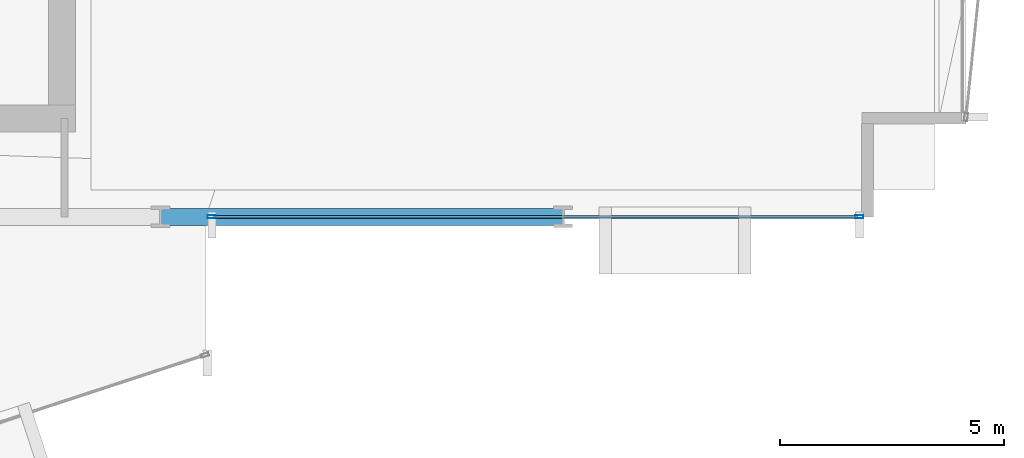
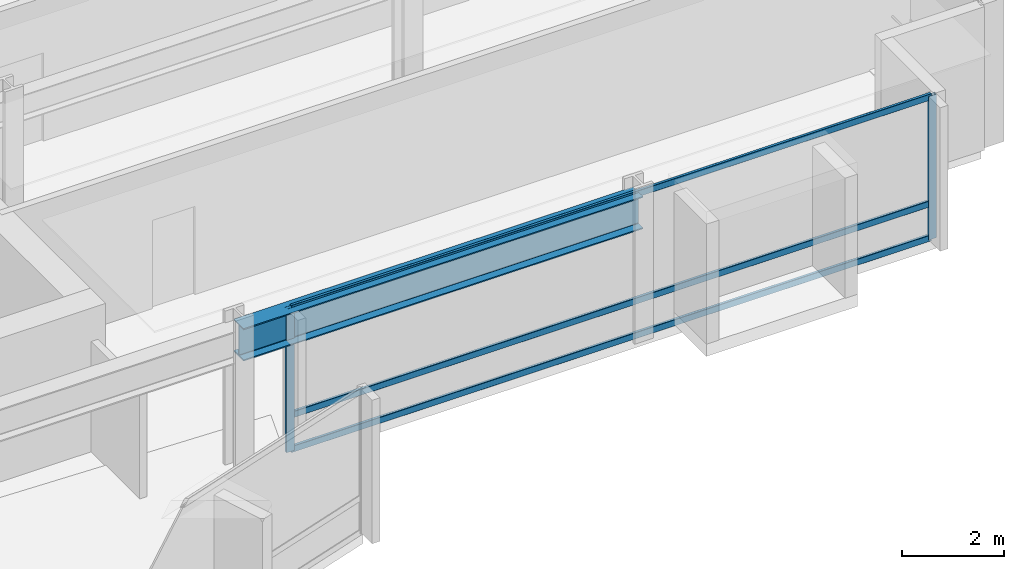
# One storey, part 12 of 34: 5 members, 1 beam, 1 element without a shape of its own.
"""IFC4 building model written with IfcOpenShell, lengths in metres."""

import ifcopenshell
import ifcopenshell.guid

model = None  # the IFC model being written
_history = None  # IfcOwnerHistory: only IFC2X3 demands one
_inside = {}  # id of a spatial element -> (the spatial element, [elements in it])
_under = {}  # id of a project, library or spatial element -> (it, [spatial elements below it])
_declared = {}  # id of a project -> (the project, [libraries it declares])
_typed = {}  # id of a type object -> (the type object, [elements of that type])
_made_of = {}  # id of a material, layer set ... -> (it, [elements and type objects made of it])


def new_model(schema):
    """Start an empty IFC model of exactly this schema.

    Asked for "IFC4X3", IfcOpenShell would pick the latest addendum, in which some entities
    have other attributes; the version numbers below select the first issue.
    IFC2X3 requires an IfcOwnerHistory on every rooted entity: one is made here for all.
    """
    global model, _history
    if schema == "IFC4X3":
        model = ifcopenshell.file(schema_version=(4, 3, 0, 0))
    else:
        model = ifcopenshell.file(schema=schema)
    _inside.clear()
    _under.clear()
    _declared.clear()
    _typed.clear()
    _made_of.clear()
    _history = None
    if model.schema == "IFC2X3":
        org = make("IfcOrganization", Name="unknown")
        user = make(
            "IfcPersonAndOrganization",
            ThePerson=make("IfcPerson", FamilyName="unknown"),
            TheOrganization=org,
        )
        app = make(
            "IfcApplication",
            ApplicationDeveloper=org,
            Version="unknown",
            ApplicationFullName="unknown",
            ApplicationIdentifier="unknown",
        )
        _history = make(
            "IfcOwnerHistory",
            OwningUser=user,
            OwningApplication=app,
            ChangeAction="ADDED",
            CreationDate=0,
        )
    return model


def make(cls, **values):
    """One entity of the class cls with the attributes given. An attribute that is None is left unset."""
    return model.create_entity(
        cls, **{name: value for name, value in values.items() if value is not None}
    )


def rooted(cls, **values):
    """An entity with a GlobalId (a new one), such as an element, a storey or a relation."""
    return make(cls, GlobalId=ifcopenshell.guid.new(), OwnerHistory=_history, **values)


def si_unit(unit_type, name, prefix=None):
    """IfcSIUnit, for example si_unit("LENGTHUNIT", "METRE", prefix="MILLI")."""
    return make("IfcSIUnit", UnitType=unit_type, Prefix=prefix, Name=name)


def assignment(units):
    """IfcUnitAssignment: the units of a project."""
    return None if units is None else make("IfcUnitAssignment", Units=units)


def point(xyz):
    """IfcCartesianPoint."""
    return None if xyz is None else make("IfcCartesianPoint", Coordinates=xyz)


def direction(xyz):
    """IfcDirection."""
    return None if xyz is None else make("IfcDirection", DirectionRatios=xyz)


def frame(location, z_axis=None, x_axis=None):
    """IfcAxis2Placement3D, a coordinate frame: its origin and axes. An axis left out is left unset."""
    return make(
        "IfcAxis2Placement3D",
        Location=point(location),
        Axis=direction(z_axis),
        RefDirection=direction(x_axis),
    )


def frame_2d(location, x_axis=None):
    """IfcAxis2Placement2D, a coordinate frame in the plane: its origin and x axis."""
    return make(
        "IfcAxis2Placement2D", Location=point(location), RefDirection=direction(x_axis)
    )


def origin():
    """The frame at (0, 0, 0) with its axes left unset."""
    return frame((0.0, 0.0, 0.0))


def origin_2d():
    """The frame at (0, 0) in the plane with its x axis left unset."""
    return frame_2d((0.0, 0.0))


def place(relative_to, where):
    """IfcLocalPlacement: puts the frame where relative to a parent placement (None: the world)."""
    return make(
        "IfcLocalPlacement", PlacementRelTo=relative_to, RelativePlacement=where
    )


def context(
    kind, dimensions, precision=None, world=None, true_north=None, identifier=None
):
    """IfcGeometricRepresentationContext, for example the 3D "Model" context."""
    return make(
        "IfcGeometricRepresentationContext",
        ContextIdentifier=identifier,
        ContextType=kind,
        CoordinateSpaceDimension=dimensions,
        Precision=precision,
        WorldCoordinateSystem=world,
        TrueNorth=true_north,
    )


def subcontext(parent, identifier, kind, view, scale=None):
    """IfcGeometricRepresentationSubContext, for example "Body" below "Model"."""
    return make(
        "IfcGeometricRepresentationSubContext",
        ContextIdentifier=identifier,
        ContextType=kind,
        ParentContext=parent,
        TargetScale=scale,
        TargetView=view,
    )


def project(units=None, contexts=None):
    """IfcProject with its units and contexts."""
    return rooted(
        "IfcProject",
        Name="project",
        RepresentationContexts=contexts,
        UnitsInContext=assignment(units),
    )


def spatial(cls, under=None, at=None, **own):
    """A site, building, storey or space (cls), placed at a placement, below another one or the project."""
    s = rooted(cls, ObjectPlacement=at, **own)
    if under is not None:
        _under.setdefault(under.id(), (under, []))[1].append(s)
    return s


def profile(cls, at=None, kind="AREA", **sizes):
    """A parametric profile (cls). Its sizes go by their IFC names, for example OverallWidth=200.0."""
    return make(cls, ProfileType=kind, Position=at, **sizes)


def hollow_rectangle(**sizes):
    """IfcRectangleHollowProfileDef."""
    return profile("IfcRectangleHollowProfileDef", **sizes)


def i_section(**sizes):
    """IfcIShapeProfileDef."""
    return profile("IfcIShapeProfileDef", **sizes)


def extrude(swept, where, along, depth):
    """IfcExtrudedAreaSolid: the profile swept, set in the frame where, extruded along a direction by depth."""
    return make(
        "IfcExtrudedAreaSolid",
        SweptArea=swept,
        Position=where,
        ExtrudedDirection=direction(along),
        Depth=depth,
    )


def shape(context_of_items, identifier, shape_type, items):
    """IfcShapeRepresentation: the items that make up one representation, for example the "Body"."""
    return make(
        "IfcShapeRepresentation",
        ContextOfItems=context_of_items,
        RepresentationIdentifier=identifier,
        RepresentationType=shape_type,
        Items=items,
    )


def material(Name=None, Category=None):
    """IfcMaterial."""
    return make("IfcMaterial", Name=Name, Category=Category)


def layer(
    of_material, thickness, ventilated=None, Name=None, Category=None, Priority=None
):
    """IfcMaterialLayer: one layer of a wall or slab, of a material (None: an air gap)."""
    return make(
        "IfcMaterialLayer",
        Material=of_material,
        LayerThickness=thickness,
        IsVentilated=ventilated,
        Name=Name,
        Category=Category,
        Priority=Priority,
    )


def layer_set(layers, Name=None):
    """IfcMaterialLayerSet."""
    return make("IfcMaterialLayerSet", MaterialLayers=layers, LayerSetName=Name)


def material_profile(
    of_material, cross_section, Name=None, Category=None, Priority=None
):
    """IfcMaterialProfile: a cross section and its material."""
    return make(
        "IfcMaterialProfile",
        Name=Name,
        Material=of_material,
        Profile=cross_section,
        Priority=Priority,
        Category=Category,
    )


def profile_set(profiles, Name=None, composite=None):
    """IfcMaterialProfileSet."""
    return make(
        "IfcMaterialProfileSet",
        Name=Name,
        MaterialProfiles=profiles,
        CompositeProfile=composite,
    )


def made_of(thing, what):
    """Note that an element or type object is made of a material, layer set ...; save() writes the relation."""
    if what is not None:
        _made_of.setdefault(what.id(), (what, []))[1].append(thing)
    return thing


def type_object(cls, material=None, **own):
    """A type object (cls), such as IfcWallType, which elements share."""
    return made_of(rooted(cls, **own), material)


def element(
    cls,
    number,
    at=None,
    inside=None,
    cuts=None,
    type_object=None,
    material=None,
    context=None,
    identifier="Body",
    shape_type=None,
    held_by="IfcProductDefinitionShape",
    body=None,
    shapes=None,
    **own,
):
    """One element of the class cls, such as IfcWall. Its Tag is "e" and its number.

    at: its placement. inside: the storey or other place that contains it. cuts: it is an
    opening in that element (IfcRelVoidsElement). A single representation is given by context,
    identifier, shape_type and body (its items); several are given by shapes. held_by: the class
    of the entity that holds the representations. save() writes the other relations.
    """
    e = rooted(cls, Tag="e%d" % number, ObjectPlacement=at, **own)
    if body is not None:
        shapes = [shape(context, identifier, shape_type, body)]
    if shapes is not None:
        e.Representation = make(held_by, Representations=shapes)
    if inside is not None:
        _inside.setdefault(inside.id(), (inside, []))[1].append(e)
    if cuts is not None:
        rooted(
            "IfcRelVoidsElement", RelatingBuildingElement=cuts, RelatedOpeningElement=e
        )
    if type_object is not None:
        _typed.setdefault(type_object.id(), (type_object, []))[1].append(e)
    return made_of(e, material)


def aggregate(whole, parts):
    """IfcRelAggregates: a whole, such as a stair, and the parts it consists of."""
    return rooted("IfcRelAggregates", RelatingObject=whole, RelatedObjects=parts)


def save(model, path):
    """Write the relations noted so far, then the file.

    IfcRelAggregates (storeys below a building ...), IfcRelContainedInSpatialStructure (elements
    in a storey), IfcRelDefinesByType, IfcRelAssociatesMaterial and IfcRelDeclares: one each for
    every whole, place, type object, material and project.
    """
    for whole, parts in _under.values():
        aggregate(whole, parts)
    for where, things in _inside.values():
        rooted(
            "IfcRelContainedInSpatialStructure",
            RelatedElements=things,
            RelatingStructure=where,
        )
    for kind, things in _typed.values():
        rooted("IfcRelDefinesByType", RelatedObjects=things, RelatingType=kind)
    for what, things in _made_of.values():
        rooted("IfcRelAssociatesMaterial", RelatedObjects=things, RelatingMaterial=what)
    for by, libraries in _declared.values():
        rooted("IfcRelDeclares", RelatingContext=by, RelatedDefinitions=libraries)
    model.write(path)


model = new_model("IFC4")

# Units and contexts
model_context = context("Model", 3, precision=1e-05, world=origin(), true_north=direction((0.0, 1.0)))
body_context = subcontext(model_context, "Body", "Model", "MODEL_VIEW")
ifc_project = project(units=[si_unit("LENGTHUNIT", "METRE"), si_unit("AREAUNIT", "SQUARE_METRE"), si_unit("VOLUMEUNIT", "CUBIC_METRE"), si_unit("PLANEANGLEUNIT", "RADIAN"), si_unit("MASSUNIT", "GRAM", prefix="KILO")], contexts=[model_context])

# Site, building, storey
site_placement = place(None, origin())
site = spatial("IfcSite", under=ifc_project, at=site_placement, CompositionType="ELEMENT")
building_placement = place(site_placement, origin())
building = spatial("IfcBuilding", under=site, at=building_placement, Name="Solvaryn Broadcast Tower", CompositionType="ELEMENT")
storey_placement = place(building_placement, frame((0.0, 0.0, 76.699951171875)))
storey = spatial("IfcBuildingStorey", under=building, at=storey_placement, Name="L18", CompositionType="ELEMENT", Elevation=76.699951171875)

# Beam
ifc_material_1 = material(Name="Steel ASTM A992 Grade 50", Category="steel")
ifc_material_profile_1 = material_profile(ifc_material_1, i_section(OverallWidth=0.381103515625, OverallDepth=0.77294921875, WebThickness=0.0166015625, FlangeThickness=0.027099609375, FilletRadius=0.01806640625, at=origin_2d()))
ifc_profile_set_1 = profile_set([ifc_material_profile_1], Name="Steel ASTM A992 Grade 50")
beam_type = type_object("IfcBeamType", Name="BM-SP1-W30X173", PredefinedType="USERDEFINED", material=ifc_profile_set_1)
beam_placement = place(storey_placement, frame((45.0, 9.0, 3.033447265625), z_axis=(1.0, 0.0, 0.0), x_axis=(0.0, 1.0, 0.0)))
element("IfcBeam", 1, at=beam_placement, inside=storey, type_object=beam_type, Name="L18 Spandrel Beam X (45-54 @ Y=9)", ObjectType="SPANDREL", PredefinedType="USERDEFINED", context=body_context, shape_type="SweptSolid", body=[
    extrude(i_section(OverallWidth=0.381103515625, OverallDepth=0.77294921875, WebThickness=0.0166015625, FlangeThickness=0.027099609375, FilletRadius=0.01806640625, at=origin_2d()), origin(), (0.0, 0.0, 1.0), 9.0),
])

# Curtain wall, members
ifc_material_2 = material(Name="Aluminium and Terracotta Unitised Curtain Wall", Category="masonry")
ifc_layer = layer(ifc_material_2, 0.199951171875)
ifc_layer_set = layer_set([ifc_layer], Name="CW-SYS2-LOWMID")
curtain_wall_type = type_object("IfcCurtainWallType", Name="CW-SYS2-LOWMID", PredefinedType="NOTDEFINED", material=ifc_layer_set)
curtain_wall_placement = place(storey_placement, origin())
curtain_wall = element("IfcCurtainWall", 2, at=curtain_wall_placement, inside=storey, type_object=curtain_wall_type, Name="L18 Curtain Wall S2", PredefinedType="NOTDEFINED")
ifc_material_3 = material(Name="Anodised Aluminium 6063-T6", Category="aluminium")
ifc_material_profile_2 = material_profile(ifc_material_3, hollow_rectangle(XDim=0.074951171875, YDim=0.179931640625, WallThickness=0.00390625, InnerFilletRadius=0.00390625, OuterFilletRadius=0.008056640625, at=origin_2d()))
ifc_profile_set_2 = profile_set([ifc_material_profile_2], Name="Anodised Aluminium 6063-T6")
member_type_1 = type_object("IfcMemberType", Name="CW-MUL-180", PredefinedType="MULLION", material=ifc_profile_set_2)
member_1_placement = place(storey_placement, frame((46.14599609375, 9.0, 0.0), z_axis=(0.0, 0.0, 1.0), x_axis=(0.0, 1.0, 0.0)))
member_1 = element("IfcMember", 3, at=member_1_placement, type_object=member_type_1, Name="CWS2 mullion 1", PredefinedType="MULLION", context=body_context, shape_type="SweptSolid", body=[
    extrude(hollow_rectangle(XDim=0.074951171875, YDim=0.179931640625, WallThickness=0.00390625, InnerFilletRadius=0.00390625, OuterFilletRadius=0.008056640625, at=origin_2d()), origin(), (0.0, 0.0, 1.0), 3.420166015625),
])
member_2_placement = place(storey_placement, frame((60.6201171875, 9.0, 0.0), z_axis=(0.0, 0.0, 1.0), x_axis=(0.0, 1.0, 0.0)))
member_2 = element("IfcMember", 4, at=member_2_placement, type_object=member_type_1, Name="CWS2 mullion 2", PredefinedType="MULLION", context=body_context, shape_type="SweptSolid", body=[
    extrude(hollow_rectangle(XDim=0.074951171875, YDim=0.179931640625, WallThickness=0.00390625, InnerFilletRadius=0.00390625, OuterFilletRadius=0.008056640625, at=origin_2d()), origin(), (0.0, 0.0, 1.0), 3.420166015625),
])
ifc_material_4 = material(Name="Anodised Aluminium 6063-T6", Category="aluminium")
ifc_material_profile_3 = material_profile(ifc_material_4, hollow_rectangle(XDim=0.06494140625, YDim=0.14990234375, WallThickness=0.00390625, InnerFilletRadius=0.00390625, OuterFilletRadius=0.008056640625, at=origin_2d()))
ifc_profile_set_3 = profile_set([ifc_material_profile_3], Name="Anodised Aluminium 6063-T6")
member_type_2 = type_object("IfcMemberType", Name="CW-TRN-150", PredefinedType="USERDEFINED", material=ifc_profile_set_3)
member_3_placement = place(storey_placement, frame((46.176025390625, 9.0, 0.030029296875), z_axis=(1.0, 0.0, 0.0), x_axis=(0.0, 1.0, 0.0)))
member_3 = element("IfcMember", 5, at=member_3_placement, type_object=member_type_2, Name="CWS2 transom 1.1", ObjectType="TRANSOM", PredefinedType="USERDEFINED", context=body_context, shape_type="SweptSolid", body=[
    extrude(hollow_rectangle(XDim=0.06494140625, YDim=0.14990234375, WallThickness=0.00390625, InnerFilletRadius=0.00390625, OuterFilletRadius=0.008056640625, at=origin_2d()), origin(), (0.0, 0.0, 1.0), 14.4140625),
])
member_4_placement = place(storey_placement, frame((46.176025390625, 9.0, 0.85009765625), z_axis=(1.0, 0.0, 0.0), x_axis=(0.0, 1.0, 0.0)))
member_4 = element("IfcMember", 6, at=member_4_placement, type_object=member_type_2, Name="CWS2 transom 1.2", ObjectType="TRANSOM", PredefinedType="USERDEFINED", context=body_context, shape_type="SweptSolid", body=[
    extrude(hollow_rectangle(XDim=0.06494140625, YDim=0.14990234375, WallThickness=0.00390625, InnerFilletRadius=0.00390625, OuterFilletRadius=0.008056640625, at=origin_2d()), origin(), (0.0, 0.0, 1.0), 14.4140625),
])
member_5_placement = place(storey_placement, frame((46.176025390625, 9.0, 3.39013671875), z_axis=(1.0, 0.0, 0.0), x_axis=(0.0, 1.0, 0.0)))
member_5 = element("IfcMember", 7, at=member_5_placement, type_object=member_type_2, Name="CWS2 transom 1.3", ObjectType="TRANSOM", PredefinedType="USERDEFINED", context=body_context, shape_type="SweptSolid", body=[
    extrude(hollow_rectangle(XDim=0.06494140625, YDim=0.14990234375, WallThickness=0.00390625, InnerFilletRadius=0.00390625, OuterFilletRadius=0.008056640625, at=origin_2d()), origin(), (0.0, 0.0, 1.0), 14.4140625),
])
aggregate(curtain_wall, [member_1, member_2, member_3, member_4, member_5])

save(model, "model.ifc")
